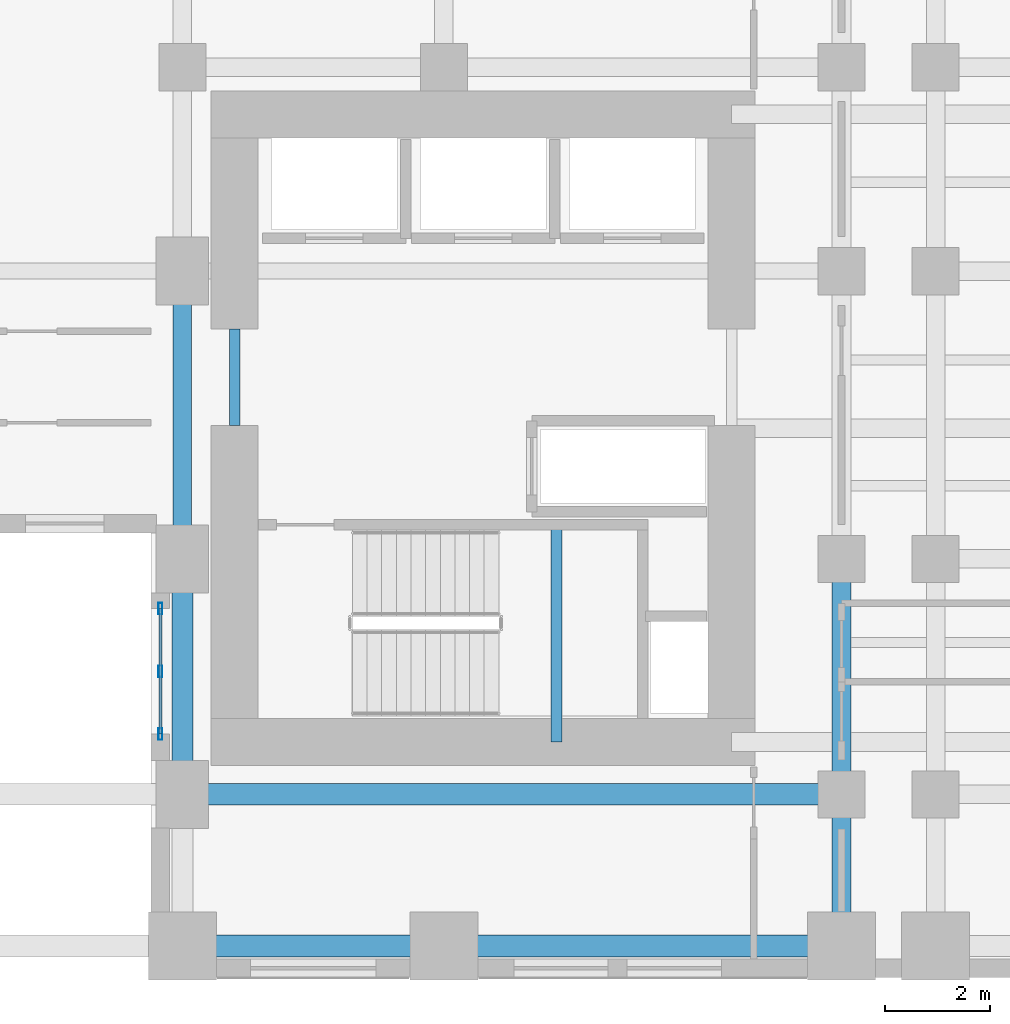
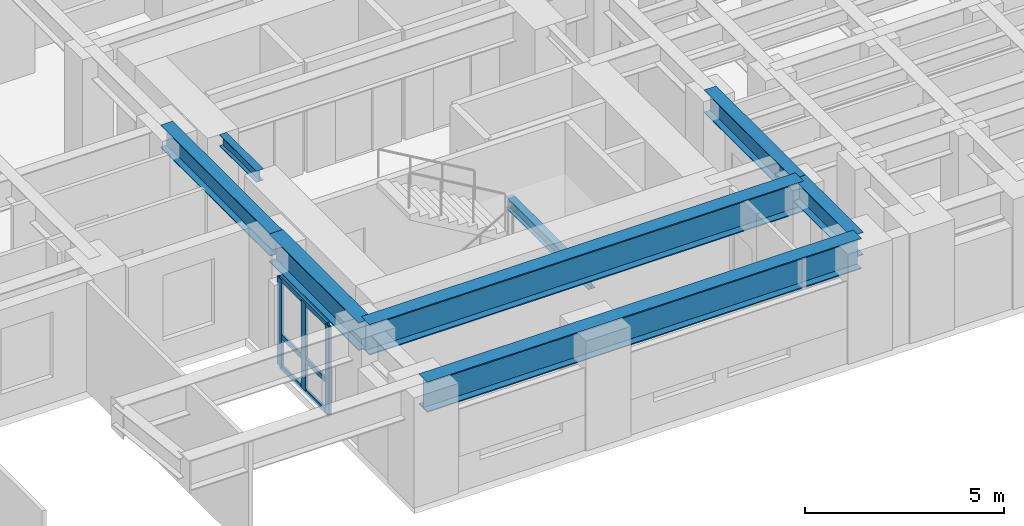
# One storey, part 3 of 14: 8 beams, 6 members, 1 element without a shape of its own.
"""IFC4 building model written with IfcOpenShell, lengths in metres."""

from ifc_helpers import new_model, si_unit, direction, frame, origin, origin_2d, place, context, subcontext, project, spatial, hollow_rectangle, i_section, extrude, source, transform, mapped, material, layer, layer_set, material_profile, profile_set, type_object, element, aggregate, save


model = new_model("IFC4")

# Units and contexts
model_context = context("Model", 3, precision=1e-05, world=origin(), true_north=direction((0.0, 1.0)))
body_context = subcontext(model_context, "Body", "Model", "MODEL_VIEW")
ifc_project = project(units=[si_unit("LENGTHUNIT", "METRE"), si_unit("AREAUNIT", "SQUARE_METRE"), si_unit("VOLUMEUNIT", "CUBIC_METRE"), si_unit("PLANEANGLEUNIT", "RADIAN"), si_unit("MASSUNIT", "GRAM", prefix="KILO")], contexts=[model_context])

# Site, building, storey
site_placement = place(None, origin())
site = spatial("IfcSite", under=ifc_project, at=site_placement, CompositionType="ELEMENT")
building_placement = place(site_placement, origin())
building = spatial("IfcBuilding", under=site, at=building_placement, Name="Kharzan Plaza Tower", CompositionType="ELEMENT")
storey_placement = place(building_placement, frame((0.0, 0.0, 58.5)))
storey = spatial("IfcBuildingStorey", under=building, at=storey_placement, Name="L15", CompositionType="ELEMENT", Elevation=58.5)

# Beams
ifc_material_1 = material(Name="Steel S355", Category="steel")
ifc_material_profile_1 = material_profile(ifc_material_1, i_section(OverallWidth=0.205078125, OverallDepth=0.35400390625, WebThickness=0.009521484375, FlangeThickness=0.016845703125, at=origin_2d()), Name="W360x79")
ifc_profile_set_1 = profile_set([ifc_material_profile_1], Name="Steel S355")
beam_type_1 = type_object("IfcBeamType", Name="BM-LNT360", PredefinedType="LINTEL", material=ifc_profile_set_1)
shared_shape_1 = source(origin(), body_context, "Body", "SweptSolid", [
    extrude(i_section(OverallWidth=0.205078125, OverallDepth=0.35400390625, WebThickness=0.009521484375, FlangeThickness=0.016845703125, at=origin_2d()), origin(), (0.0, 0.0, 1.0), 1.849853515625),
])
beam_1_placement = place(storey_placement, frame((36.0, 10.550048828125, 3.202880859375), z_axis=(0.0, 1.0, 0.0), x_axis=(-1.0, 0.0, 0.0)))
element("IfcBeam", 1, at=beam_1_placement, inside=storey, type_object=beam_type_1, Name="L15 CORE-B coupling lintel LN1-WW", PredefinedType="LINTEL", context=body_context, shape_type="MappedRepresentation", body=[
    mapped(shared_shape_1, transform((0.0, 0.0, 0.0), x_axis=(1.0, 0.0, 0.0), y_axis=(0.0, 1.0, 0.0), z_axis=(0.0, 0.0, 1.0))),
])
shared_shape_2 = source(origin(), body_context, "Body", "SweptSolid", [
    extrude(i_section(OverallWidth=0.205078125, OverallDepth=0.35400390625, WebThickness=0.009521484375, FlangeThickness=0.016845703125, at=origin_2d()), origin(), (0.0, 0.0, 1.0), 4.155029296875),
])
beam_2_placement = place(storey_placement, frame((42.14990234375, 4.5, 1.423095703125), z_axis=(0.0, 1.0, 0.0), x_axis=(-1.0, 0.0, 0.0)))
element("IfcBeam", 2, at=beam_2_placement, inside=storey, type_object=beam_type_1, Name="L15 Stair ST-3 Half-Landing Beam", PredefinedType="LINTEL", context=body_context, shape_type="MappedRepresentation", body=[
    mapped(shared_shape_2, transform((0.0, 0.0, 0.0), x_axis=(1.0, 0.0, 0.0), y_axis=(0.0, 1.0, 0.0), z_axis=(0.0, 0.0, 1.0))),
])
ifc_material_profile_2 = material_profile(ifc_material_1, i_section(OverallWidth=0.35498046875, OverallDepth=0.695068359375, WebThickness=0.015380859375, FlangeThickness=0.02490234375, at=origin_2d()), Name="W690x217")
ifc_profile_set_2 = profile_set([ifc_material_profile_2], Name="Steel S355")
beam_type_2 = type_object("IfcBeamType", Name="BM-FG690A", PredefinedType="BEAM", material=ifc_profile_set_2)
shared_shape_3 = source(origin(), body_context, "Body", "SweptSolid", [
    extrude(i_section(OverallWidth=0.35498046875, OverallDepth=0.695068359375, WebThickness=0.015380859375, FlangeThickness=0.02490234375, at=origin_2d()), origin(), (0.0, 0.0, 1.0), 4.5),
])
beam_3_placement = place(storey_placement, frame((47.60009765625, 3.5, 3.032470703125), z_axis=(0.0, 1.0, 0.0), x_axis=(-1.0, 0.0, 0.0)))
element("IfcBeam", 3, at=beam_3_placement, inside=storey, type_object=beam_type_2, Name="L15 Interior Frame Girder", PredefinedType="BEAM", context=body_context, shape_type="MappedRepresentation", body=[
    mapped(shared_shape_3, transform((0.0, 0.0, 0.0), x_axis=(1.0, 0.0, 0.0), y_axis=(0.0, 1.0, 0.0), z_axis=(0.0, 0.0, 1.0))),
])
shared_shape_4 = source(origin(), body_context, "Body", "SweptSolid", [
    extrude(i_section(OverallWidth=0.35498046875, OverallDepth=0.695068359375, WebThickness=0.015380859375, FlangeThickness=0.02490234375, at=origin_2d()), origin(), (0.0, 0.0, 1.0), 5.5),
])
beam_4_placement = place(storey_placement, frame((35.0, 8.0, 3.032470703125), z_axis=(0.0, 1.0, 0.0), x_axis=(-1.0, 0.0, 0.0)))
element("IfcBeam", 4, at=beam_4_placement, inside=storey, type_object=beam_type_2, Name="L15 Interior Frame Girder", PredefinedType="BEAM", context=body_context, shape_type="MappedRepresentation", body=[
    mapped(shared_shape_4, transform((0.0, 0.0, 0.0), x_axis=(1.0, 0.0, 0.0), y_axis=(0.0, 1.0, 0.0), z_axis=(0.0, 0.0, 1.0))),
])
shared_shape_5 = source(origin(), body_context, "Body", "SweptSolid", [
    extrude(i_section(OverallWidth=0.35498046875, OverallDepth=0.695068359375, WebThickness=0.015380859375, FlangeThickness=0.02490234375, at=origin_2d()), origin(), (0.0, 0.0, 1.0), 2.89990234375),
])
beam_5_placement = place(storey_placement, frame((47.60009765625, 0.60009765625, 3.032470703125), z_axis=(0.0, 1.0, 0.0), x_axis=(-1.0, 0.0, 0.0)))
element("IfcBeam", 5, at=beam_5_placement, inside=storey, type_object=beam_type_2, Name="L15 Interior Frame Girder", PredefinedType="BEAM", context=body_context, shape_type="MappedRepresentation", body=[
    mapped(shared_shape_5, transform((0.0, 0.0, 0.0), x_axis=(1.0, 0.0, 0.0), y_axis=(0.0, 1.0, 0.0), z_axis=(0.0, 0.0, 1.0))),
])
ifc_material_profile_3 = material_profile(ifc_material_1, i_section(OverallWidth=0.40087890625, OverallDepth=0.85498046875, WebThickness=0.018310546875, FlangeThickness=0.029296875, at=origin_2d()), Name="W840x299")
ifc_profile_set_3 = profile_set([ifc_material_profile_3], Name="Steel S355")
beam_type_3 = type_object("IfcBeamType", Name="BM-SP840A", PredefinedType="SPANDREL", material=ifc_profile_set_3)
shared_shape_6 = source(origin(), body_context, "Body", "SweptSolid", [
    extrude(i_section(OverallWidth=0.40087890625, OverallDepth=0.85498046875, WebThickness=0.018310546875, FlangeThickness=0.029296875, at=origin_2d()), origin(), (0.0, 0.0, 1.0), 4.5),
])
beam_6_placement = place(storey_placement, frame((35.0, 3.5, 2.952392578125), z_axis=(0.0, 1.0, 0.0), x_axis=(-1.0, 0.0, 0.0)))
element("IfcBeam", 6, at=beam_6_placement, inside=storey, type_object=beam_type_3, Name="L15 Perimeter Tube Spandrel", PredefinedType="SPANDREL", context=body_context, shape_type="MappedRepresentation", body=[
    mapped(shared_shape_6, transform((0.0, 0.0, 0.0), x_axis=(1.0, 0.0, 0.0), y_axis=(0.0, 1.0, 0.0), z_axis=(0.0, 0.0, 1.0))),
])

# Curtain wall, members
ifc_material_2 = material(Name="Unitised Bronze-Anodized Aluminium and Low-E Glass", Category="aluminium")
ifc_layer = layer(ifc_material_2, 0.199951171875)
ifc_layer_set = layer_set([ifc_layer], Name="Unitised Bronze-Anodized Aluminium and Low-E Glass")
curtain_wall_type = type_object("IfcCurtainWallType", Name="CW-SLOT-3", PredefinedType="NOTDEFINED", material=ifc_layer_set)
curtain_wall_placement = place(storey_placement, origin())
curtain_wall = element("IfcCurtainWall", 7, at=curtain_wall_placement, inside=storey, type_object=curtain_wall_type, Name="L15 East Slot Recessed Spine Curtain Wall", PredefinedType="NOTDEFINED")
ifc_material_3 = material(Name="Anodized Bronze Aluminium", Category="aluminium")
ifc_material_profile_4 = material_profile(ifc_material_3, hollow_rectangle(XDim=0.074951171875, YDim=0.219970703125, WallThickness=0.00390625, at=origin_2d()), Name="ALU-M220x75x4")
ifc_profile_set_4 = profile_set([ifc_material_profile_4], Name="Anodized Bronze Aluminium")
member_type_1 = type_object("IfcMemberType", Name="MEM-CW-MUL200", PredefinedType="MULLION", material=ifc_profile_set_4)
shared_shape_7 = source(origin(), body_context, "Body", "SweptSolid", [
    extrude(hollow_rectangle(XDim=0.074951171875, YDim=0.219970703125, WallThickness=0.00390625, at=origin_2d()), origin(), (0.0, 0.0, 1.0), 2.699951171875),
])
member_1_placement = place(storey_placement, frame((34.580078125, 4.64990234375, 0.0), z_axis=(0.0, 0.0, 1.0), x_axis=(1.0, 0.0, 0.0)))
member_1 = element("IfcMember", 8, at=member_1_placement, type_object=member_type_1, Name="L15 Curtain-Wall Mullion 00", PredefinedType="MULLION", context=body_context, shape_type="MappedRepresentation", body=[
    mapped(shared_shape_7, transform((0.0, 0.0, 0.0), x_axis=(1.0, 0.0, 0.0), y_axis=(0.0, 1.0, 0.0), z_axis=(0.0, 0.0, 1.0))),
])
member_2_placement = place(storey_placement, frame((34.580078125, 5.85009765625, 0.0), z_axis=(0.0, 0.0, 1.0), x_axis=(1.0, 0.0, 0.0)))
member_2 = element("IfcMember", 9, at=member_2_placement, type_object=member_type_1, Name="L15 Curtain-Wall Mullion 01", PredefinedType="MULLION", context=body_context, shape_type="MappedRepresentation", body=[
    mapped(shared_shape_7, transform((0.0, 0.0, 0.0), x_axis=(1.0, 0.0, 0.0), y_axis=(0.0, 1.0, 0.0), z_axis=(0.0, 0.0, 1.0))),
])
member_3_placement = place(storey_placement, frame((34.580078125, 7.050048828125, 0.0), z_axis=(0.0, 0.0, 1.0), x_axis=(1.0, 0.0, 0.0)))
member_3 = element("IfcMember", 10, at=member_3_placement, type_object=member_type_1, Name="L15 Curtain-Wall Mullion 02", PredefinedType="MULLION", context=body_context, shape_type="MappedRepresentation", body=[
    mapped(shared_shape_7, transform((0.0, 0.0, 0.0), x_axis=(1.0, 0.0, 0.0), y_axis=(0.0, 1.0, 0.0), z_axis=(0.0, 0.0, 1.0))),
])

# Beams
ifc_material_profile_5 = material_profile(ifc_material_1, i_section(OverallWidth=0.41796875, OverallDepth=0.93701171875, WebThickness=0.019287109375, FlangeThickness=0.031982421875, at=origin_2d()), Name="W920x342")
ifc_profile_set_5 = profile_set([ifc_material_profile_5], Name="Steel S355")
beam_type_4 = type_object("IfcBeamType", Name="BM-ZTB920", PredefinedType="BEAM", material=ifc_profile_set_5)
shared_shape_8 = source(origin(), body_context, "Body", "SweptSolid", [
    extrude(i_section(OverallWidth=0.41796875, OverallDepth=0.93701171875, WebThickness=0.019287109375, FlangeThickness=0.031982421875, at=origin_2d()), origin(), (0.0, 0.0, 1.0), 12.60009765625),
])
for number, where, z_axis, x_axis, name in (
    (11, (47.60009765625, 0.60009765625, 2.91162109375), (-1.0, 0.0, 0.0), (0.0, -1.0, 0.0), "L15 Sky-Terrace Back-Span Girder ZTB1 (L16 G1)"),
    (12, (47.60009765625, 3.5, 2.91162109375), (-1.0, 0.0, 0.0), (0.0, -1.0, 0.0), "L15 Sky-Terrace Back-Span Girder ZTB1 (L16 G2)"),
):
    element("IfcBeam", number, at=place(storey_placement, frame(where, z_axis=z_axis, x_axis=x_axis)), inside=storey, type_object=beam_type_4, Name=name, PredefinedType="BEAM", context=body_context, shape_type="MappedRepresentation", body=[
        mapped(shared_shape_8, transform((0.0, 0.0, 0.0), x_axis=(1.0, 0.0, 0.0), y_axis=(0.0, 1.0, 0.0), z_axis=(0.0, 0.0, 1.0))),
    ])

# Member
ifc_material_profile_6 = material_profile(ifc_material_3, hollow_rectangle(XDim=0.06005859375, YDim=0.14990234375, WallThickness=0.00341796875, at=origin_2d()), Name="ALU-T150x60x3.5")
ifc_profile_set_6 = profile_set([ifc_material_profile_6], Name="Anodized Bronze Aluminium")
member_type_2 = type_object("IfcMemberType", Name="MEM-CW-TRN150", PredefinedType="USERDEFINED", material=ifc_profile_set_6)
shared_shape_9 = source(origin(), body_context, "Body", "SweptSolid", [
    extrude(hollow_rectangle(XDim=0.06005859375, YDim=0.14990234375, WallThickness=0.00341796875, at=origin_2d()), origin(), (0.0, 0.0, 1.0), 2.400146484375),
])
member_4_placement = place(storey_placement, frame((34.580078125, 4.64990234375, 0.0), z_axis=(0.0, 1.0, 0.0), x_axis=(-1.0, 0.0, 0.0)))
member_4 = element("IfcMember", 13, at=member_4_placement, type_object=member_type_2, Name="L15 Curtain-Wall Transom 1", ObjectType="TRANSOM", PredefinedType="USERDEFINED", context=body_context, shape_type="MappedRepresentation", body=[
    mapped(shared_shape_9, transform((0.0, 0.0, 0.0), x_axis=(1.0, 0.0, 0.0), y_axis=(0.0, 1.0, 0.0), z_axis=(0.0, 0.0, 1.0))),
])

member_5_placement = place(storey_placement, frame((34.580078125, 4.64990234375, 0.949951171875), z_axis=(0.0, 1.0, 0.0), x_axis=(-1.0, 0.0, 0.0)))
member_5 = element("IfcMember", 14, at=member_5_placement, type_object=member_type_2, Name="L15 Curtain-Wall Transom 2", ObjectType="TRANSOM", PredefinedType="USERDEFINED", context=body_context, shape_type="MappedRepresentation", body=[
    mapped(shared_shape_9, transform((0.0, 0.0, 0.0), x_axis=(1.0, 0.0, 0.0), y_axis=(0.0, 1.0, 0.0), z_axis=(0.0, 0.0, 1.0))),
])

member_6_placement = place(storey_placement, frame((34.580078125, 4.64990234375, 2.699951171875), z_axis=(0.0, 1.0, 0.0), x_axis=(-1.0, 0.0, 0.0)))
member_6 = element("IfcMember", 15, at=member_6_placement, type_object=member_type_2, Name="L15 Curtain-Wall Transom 3", ObjectType="TRANSOM", PredefinedType="USERDEFINED", context=body_context, shape_type="MappedRepresentation", body=[
    mapped(shared_shape_9, transform((0.0, 0.0, 0.0), x_axis=(1.0, 0.0, 0.0), y_axis=(0.0, 1.0, 0.0), z_axis=(0.0, 0.0, 1.0))),
])

aggregate(curtain_wall, [member_1, member_2, member_3, member_4, member_5, member_6])

save(model, "model.ifc")
